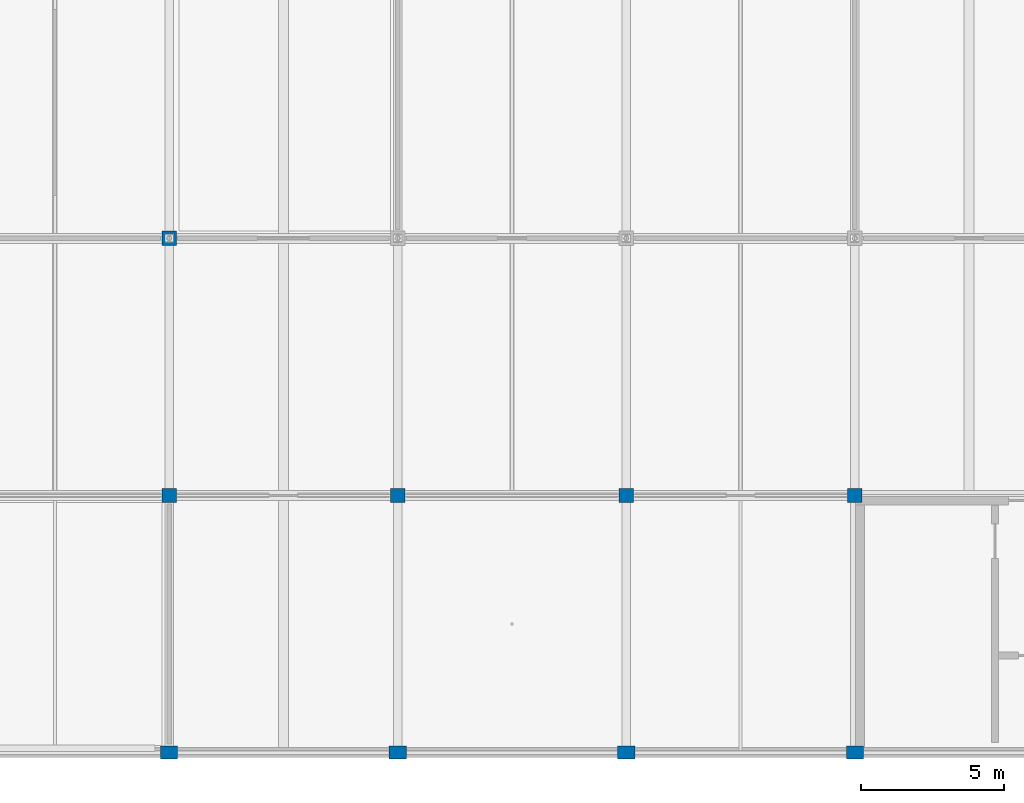
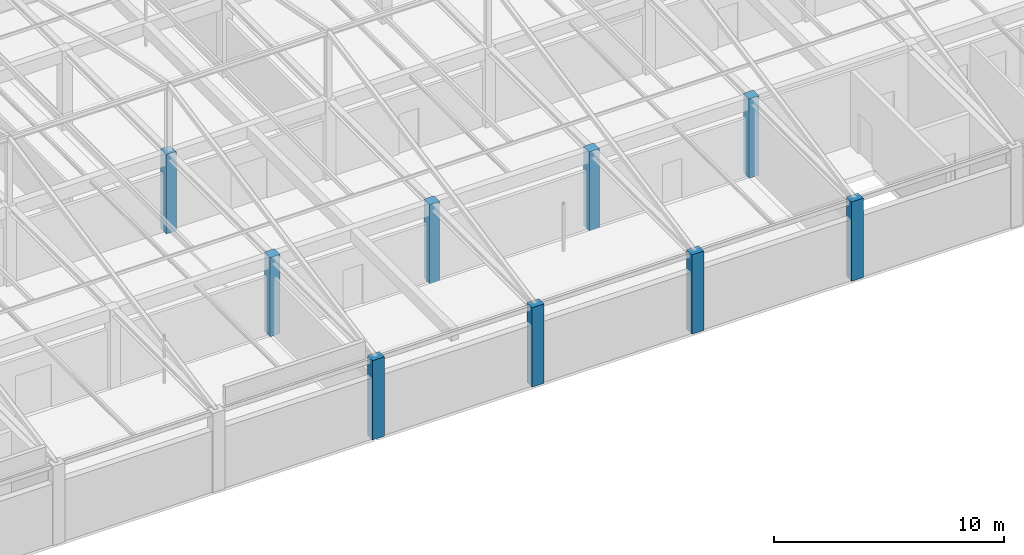
# One storey, part 3 of 65: 9 columns.
"""IFC4 building model written with IfcOpenShell, lengths in metres."""

from ifc_helpers import new_model, si_unit, direction, frame, origin, origin_2d, place, context, subcontext, project, spatial, rectangle, extrude, material, material_profile, profile_set, type_object, element, save


model = new_model("IFC4")

# Units and contexts
model_context = context("Model", 3, precision=1e-05, world=origin(), true_north=direction((0.0, 1.0)))
body_context = subcontext(model_context, "Body", "Model", "MODEL_VIEW")
ifc_project = project(units=[si_unit("LENGTHUNIT", "METRE"), si_unit("AREAUNIT", "SQUARE_METRE"), si_unit("VOLUMEUNIT", "CUBIC_METRE"), si_unit("PLANEANGLEUNIT", "RADIAN"), si_unit("MASSUNIT", "GRAM", prefix="KILO")], contexts=[model_context])

# Site, building, storey
site_placement = place(None, origin())
site = spatial("IfcSite", under=ifc_project, at=site_placement, CompositionType="ELEMENT")
building_placement = place(site_placement, origin())
building = spatial("IfcBuilding", under=site, at=building_placement, Name="Varnabhumi Central Station", CompositionType="ELEMENT")
storey_placement = place(building_placement, frame((0.0, 0.0, 24.60009765625)))
storey = spatial("IfcBuildingStorey", under=building, at=storey_placement, Name="L05", CompositionType="ELEMENT", Elevation=24.60009765625)

# Columns
ifc_material = material(Name="Concrete M40", Category="concrete")
ifc_material_profile_1 = material_profile(ifc_material, rectangle(XDim=0.60009765625, YDim=0.449951171875, at=origin_2d()), Name="Concrete M40", Category="concrete")
ifc_profile_set_1 = profile_set([ifc_material_profile_1], Name="Concrete M40")
column_type_1 = type_object("IfcColumnType", Name="COL-RC-600x450", PredefinedType="PILASTER", material=ifc_profile_set_1)
for number, where, z_axis, x_axis, name in (
    (1, (64.0, 0.0, 0.0), (0.0, 0.0, 1.0), (1.0, 0.0, 0.0), "Column L05-9A"),
    (2, (72.0, 0.0, 0.0), (0.0, 0.0, 1.0), (1.0, 0.0, 0.0), "Column L05-10A"),
    (3, (80.0, 0.0, 0.0), (0.0, 0.0, 1.0), (1.0, 0.0, 0.0), "Column L05-11A"),
    (4, (88.0, 0.0, 0.0), (0.0, 0.0, 1.0), (1.0, 0.0, 0.0), "Column L05-12A"),
):
    element("IfcColumn", number, at=place(storey_placement, frame(where, z_axis=z_axis, x_axis=x_axis)), inside=storey, type_object=column_type_1, Name=name, PredefinedType="PILASTER", context=body_context, shape_type="SweptSolid", body=[
        extrude(rectangle(XDim=0.60009765625, YDim=0.449951171875, at=origin_2d()), origin(), (0.0, 0.0, 1.0), 4.199951171875),
    ])
ifc_material_profile_2 = material_profile(ifc_material, rectangle(XDim=0.5, YDim=0.5, at=origin_2d()), Name="Concrete M40", Category="concrete")
ifc_profile_set_2 = profile_set([ifc_material_profile_2], Name="Concrete M40")
column_type_2 = type_object("IfcColumnType", Name="COL-UPPER-500", PredefinedType="COLUMN", material=ifc_profile_set_2)
for number, where, z_axis, x_axis, name in (
    (5, (64.0, 9.0, 0.0), (0.0, 0.0, 1.0), (1.0, 0.0, 0.0), "Column L05-9B"),
    (6, (64.0, 18.0, 0.0), (0.0, 0.0, 1.0), (1.0, 0.0, 0.0), "Column L05-9C"),
    (7, (72.0, 9.0, 0.0), (0.0, 0.0, 1.0), (1.0, 0.0, 0.0), "Column L05-10B"),
    (8, (80.0, 9.0, 0.0), (0.0, 0.0, 1.0), (1.0, 0.0, 0.0), "Column L05-11B"),
    (9, (88.0, 9.0, 0.0), (0.0, 0.0, 1.0), (1.0, 0.0, 0.0), "Column L05-12B"),
):
    element("IfcColumn", number, at=place(storey_placement, frame(where, z_axis=z_axis, x_axis=x_axis)), inside=storey, type_object=column_type_2, Name=name, PredefinedType="COLUMN", context=body_context, shape_type="SweptSolid", body=[
        extrude(rectangle(XDim=0.5, YDim=0.5, at=origin_2d()), origin(), (0.0, 0.0, 1.0), 4.199951171875),
    ])

save(model, "model.ifc")
